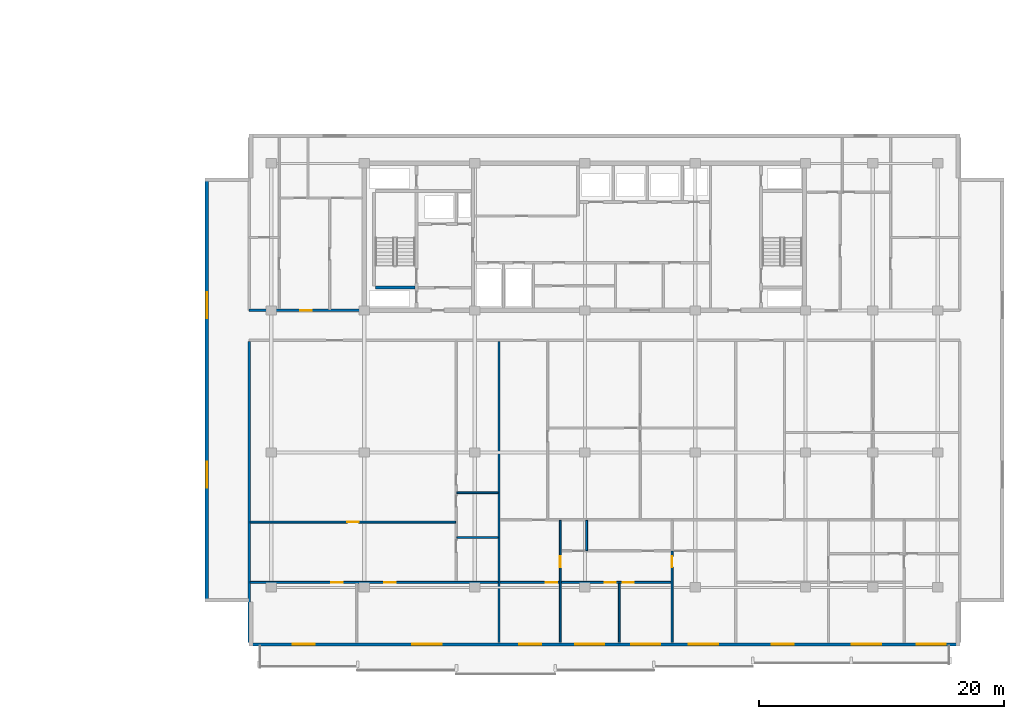
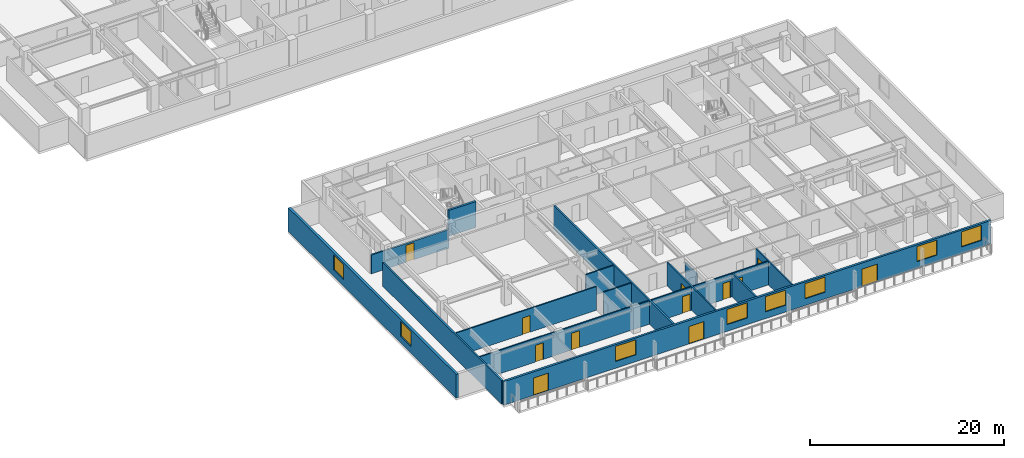
# One storey, part 4 of 21: 15 walls, 12 doors, 8 windows, 20 openings.
"""IFC4 building model written with IfcOpenShell, lengths in metres."""

from ifc_helpers import new_model, si_unit, direction, frame, frame_2d, origin, place, context, subcontext, project, spatial, rectangle, extrude, material, layer, layer_set, type_object, element, fill, save


model = new_model("IFC4")

# Units and contexts
model_context = context("Model", 3, precision=1e-05, world=origin(), true_north=direction((0.0, 1.0)))
body_context = subcontext(model_context, "Body", "Model", "MODEL_VIEW")
ifc_project = project(units=[si_unit("LENGTHUNIT", "METRE"), si_unit("AREAUNIT", "SQUARE_METRE"), si_unit("VOLUMEUNIT", "CUBIC_METRE"), si_unit("PLANEANGLEUNIT", "RADIAN"), si_unit("MASSUNIT", "GRAM", prefix="KILO")], contexts=[model_context])

# Site, building, storey
site_placement = place(None, origin())
site = spatial("IfcSite", under=ifc_project, at=site_placement, CompositionType="ELEMENT")
building_placement = place(site_placement, origin())
building = spatial("IfcBuilding", under=site, at=building_placement, Name="Korimba Cascade Residences", CompositionType="ELEMENT")
storey_placement = place(building_placement, frame((0.0, 0.0, 119.800048828125)))
storey = spatial("IfcBuildingStorey", under=building, at=storey_placement, Name="L34", CompositionType="ELEMENT", Elevation=119.800048828125)

# Wall, openings, doors, windows
ifc_material_1 = material(Name="Precast concrete C40/50", Category="concrete")
ifc_layer_1 = layer(ifc_material_1, 0.25)
ifc_layer_set_1 = layer_set([ifc_layer_1], Name="Precast concrete C40/50")
wall_type_1 = type_object("IfcWallType", Name="EW-LOG-250", PredefinedType="STANDARD", material=ifc_layer_set_1)
wall_1_placement = place(storey_placement, frame((72.699951171875, -8.85009765625, 0.0), z_axis=(0.0, 0.0, 1.0), x_axis=(1.0, 0.0, 0.0)))
wall_1 = element("IfcWall", 1, at=wall_1_placement, inside=storey, type_object=wall_type_1, Name="L34 T2 Perimeter Stone Wall E00", PredefinedType="STANDARD", context=body_context, shape_type="SweptSolid", body=[
    extrude(rectangle(XDim=58.0, YDim=0.25, at=frame_2d((29.0, 0.0))), origin(), (0.0, 0.0, 1.0), 2.969970703125),
])
opening_1_placement = place(wall_1_placement, frame((3.547607421875, 0.0, 0.0)))
opening_1 = element("IfcOpeningElement", 2, at=opening_1_placement, cuts=wall_1, Name="Opening D-LG1", PredefinedType="OPENING", context=body_context, shape_type="SweptSolid", body=[
    extrude(rectangle(XDim=1.800048828125, YDim=2.199951171875, at=frame_2d((0.89990234375, 1.10009765625))), frame((0.0, 0.135009765625, 0.0), z_axis=(0.0, -1.0, 0.0), x_axis=(1.0, 0.0, 0.0)), (0.0, 0.0, 1.0), 0.27001953125),
])
opening_2_placement = place(wall_1_placement, frame((13.3232421875, 0.0, 0.85009765625)))
opening_2 = element("IfcOpeningElement", 3, at=opening_2_placement, cuts=wall_1, Name="Opening W-01", PredefinedType="OPENING", context=body_context, shape_type="SweptSolid", body=[
    extrude(rectangle(XDim=2.39990234375, YDim=1.89990234375, at=frame_2d((1.199951171875, 0.949951171875))), frame((0.0, 0.135009765625, 0.0), z_axis=(0.0, -1.0, 0.0), x_axis=(1.0, 0.0, 0.0)), (0.0, 0.0, 1.0), 0.27001953125),
])
opening_3_placement = place(wall_1_placement, frame((26.59814453125, 0.0, 0.85009765625)))
opening_3 = element("IfcOpeningElement", 4, at=opening_3_placement, cuts=wall_1, Name="Opening W-01", PredefinedType="OPENING", context=body_context, shape_type="SweptSolid", body=[
    extrude(rectangle(XDim=2.39990234375, YDim=1.89990234375, at=frame_2d((1.199951171875, 0.949951171875))), frame((0.0, 0.135009765625, 0.0), z_axis=(0.0, -1.0, 0.0), x_axis=(1.0, 0.0, 0.0)), (0.0, 0.0, 1.0), 0.27001953125),
])
opening_4_placement = place(wall_1_placement, frame((31.16259765625, 0.0, 0.85009765625)))
opening_4 = element("IfcOpeningElement", 5, at=opening_4_placement, cuts=wall_1, Name="Opening W-01", PredefinedType="OPENING", context=body_context, shape_type="SweptSolid", body=[
    extrude(rectangle(XDim=2.39990234375, YDim=1.89990234375, at=frame_2d((1.199951171875, 0.949951171875))), frame((0.0, 0.135009765625, 0.0), z_axis=(0.0, -1.0, 0.0), x_axis=(1.0, 0.0, 0.0)), (0.0, 0.0, 1.0), 0.27001953125),
])
opening_5_placement = place(wall_1_placement, frame((22.05078125, 0.0, 0.0)))
opening_5 = element("IfcOpeningElement", 6, at=opening_5_placement, cuts=wall_1, Name="Opening D-LG1", PredefinedType="OPENING", context=body_context, shape_type="SweptSolid", body=[
    extrude(rectangle(XDim=1.800048828125, YDim=2.199951171875, at=frame_2d((0.89990234375, 1.10009765625))), frame((0.0, 0.135009765625, 0.0), z_axis=(0.0, -1.0, 0.0), x_axis=(1.0, 0.0, 0.0)), (0.0, 0.0, 1.0), 0.27001953125),
])
opening_6_placement = place(wall_1_placement, frame((35.861328125, 0.0, 0.85009765625)))
opening_6 = element("IfcOpeningElement", 7, at=opening_6_placement, cuts=wall_1, Name="Opening W-01", PredefinedType="OPENING", context=body_context, shape_type="SweptSolid", body=[
    extrude(rectangle(XDim=2.39990234375, YDim=1.89990234375, at=frame_2d((1.199951171875, 0.949951171875))), frame((0.0, 0.135009765625, 0.0), z_axis=(0.0, -1.0, 0.0), x_axis=(1.0, 0.0, 0.0)), (0.0, 0.0, 1.0), 0.27001953125),
])
opening_7_placement = place(wall_1_placement, frame((49.1650390625, 0.0, 0.85009765625)))
opening_7 = element("IfcOpeningElement", 8, at=opening_7_placement, cuts=wall_1, Name="Opening W-01", PredefinedType="OPENING", context=body_context, shape_type="SweptSolid", body=[
    extrude(rectangle(XDim=2.39990234375, YDim=1.89990234375, at=frame_2d((1.199951171875, 0.949951171875))), frame((0.0, 0.135009765625, 0.0), z_axis=(0.0, -1.0, 0.0), x_axis=(1.0, 0.0, 0.0)), (0.0, 0.0, 1.0), 0.27001953125),
])
opening_8_placement = place(wall_1_placement, frame((42.661376953125, 0.0, 0.0)))
opening_8 = element("IfcOpeningElement", 9, at=opening_8_placement, cuts=wall_1, Name="Opening D-LG1", PredefinedType="OPENING", context=body_context, shape_type="SweptSolid", body=[
    extrude(rectangle(XDim=1.800048828125, YDim=2.199951171875, at=frame_2d((0.89990234375, 1.10009765625))), frame((0.0, 0.135009765625, 0.0), z_axis=(0.0, -1.0, 0.0), x_axis=(1.0, 0.0, 0.0)), (0.0, 0.0, 1.0), 0.27001953125),
])
opening_9_placement = place(wall_1_placement, frame((54.465087890625, 0.0, 0.85009765625)))
opening_9 = element("IfcOpeningElement", 10, at=opening_9_placement, cuts=wall_1, Name="Opening W-01", PredefinedType="OPENING", context=body_context, shape_type="SweptSolid", body=[
    extrude(rectangle(XDim=2.39990234375, YDim=1.89990234375, at=frame_2d((1.199951171875, 0.949951171875))), frame((0.0, 0.135009765625, 0.0), z_axis=(0.0, -1.0, 0.0), x_axis=(1.0, 0.0, 0.0)), (0.0, 0.0, 1.0), 0.27001953125),
])
ifc_material_2 = material(Name="Glazed Aluminium Loggia Sliding Door", Category="aluminium")
door_type_1 = type_object("IfcDoorType", Name="DR-EXT-LOG", OperationType="NOTDEFINED", PredefinedType="DOOR", material=ifc_material_2)
door_1_placement = place(opening_1_placement, origin())
door_1 = element("IfcDoor", 11, at=door_1_placement, inside=storey, type_object=door_type_1, Name="L34 T2 Loggia Sliding Door 3", OperationType="SLIDING_TO_RIGHT", OverallHeight=2.199951171875, OverallWidth=1.800048828125, PredefinedType="DOOR", context=body_context, shape_type="SweptSolid", body=[
    extrude(rectangle(XDim=1.800048828125, YDim=2.199951171875, at=frame_2d((0.89990234375, 1.10009765625))), frame((0.0, 0.02490234375, 0.0), z_axis=(0.0, -1.0, 0.0), x_axis=(1.0, 0.0, 0.0)), (0.0, 0.0, 1.0), 0.050048828125),
])
fill(opening_1, door_1)
door_2_placement = place(opening_5_placement, origin())
door_2 = element("IfcDoor", 12, at=door_2_placement, inside=storey, type_object=door_type_1, Name="L34 T2 Loggia Sliding Door 7", OperationType="SLIDING_TO_RIGHT", OverallHeight=2.199951171875, OverallWidth=1.800048828125, PredefinedType="DOOR", context=body_context, shape_type="SweptSolid", body=[
    extrude(rectangle(XDim=1.800048828125, YDim=2.199951171875, at=frame_2d((0.89990234375, 1.10009765625))), frame((0.0, 0.02490234375, 0.0), z_axis=(0.0, -1.0, 0.0), x_axis=(1.0, 0.0, 0.0)), (0.0, 0.0, 1.0), 0.050048828125),
])
fill(opening_5, door_2)
door_3_placement = place(opening_8_placement, origin())
door_3 = element("IfcDoor", 13, at=door_3_placement, inside=storey, type_object=door_type_1, Name="L34 T2 Loggia Sliding Door 10", OperationType="SLIDING_TO_RIGHT", OverallHeight=2.199951171875, OverallWidth=1.800048828125, PredefinedType="DOOR", context=body_context, shape_type="SweptSolid", body=[
    extrude(rectangle(XDim=1.800048828125, YDim=2.199951171875, at=frame_2d((0.89990234375, 1.10009765625))), frame((0.0, 0.02490234375, 0.0), z_axis=(0.0, -1.0, 0.0), x_axis=(1.0, 0.0, 0.0)), (0.0, 0.0, 1.0), 0.050048828125),
])
fill(opening_8, door_3)
ifc_material_3 = material(Name="Double-Glazed Aluminium Window", Category="aluminium")
window_type_1 = type_object("IfcWindowType", Name="WIN-RES-2400", PartitioningType="DOUBLE_PANEL_VERTICAL", PredefinedType="WINDOW", material=ifc_material_3)
window_1_placement = place(opening_2_placement, origin())
window_1 = element("IfcWindow", 14, at=window_1_placement, inside=storey, type_object=window_type_1, Name="L34 T2 South Facade Window 4", OverallHeight=1.89990234375, OverallWidth=2.39990234375, PartitioningType="DOUBLE_PANEL_VERTICAL", PredefinedType="WINDOW", context=body_context, shape_type="SweptSolid", body=[
    extrude(rectangle(XDim=2.39990234375, YDim=1.89990234375, at=frame_2d((1.199951171875, 0.949951171875))), frame((0.0, 0.030029296875, 0.0), z_axis=(0.0, -1.0, 0.0), x_axis=(1.0, 0.0, 0.0)), (0.0, 0.0, 1.0), 0.06005859375),
])
fill(opening_2, window_1)
window_2_placement = place(opening_3_placement, origin())
window_2 = element("IfcWindow", 15, at=window_2_placement, inside=storey, type_object=window_type_1, Name="L34 T2 South Facade Window 5", OverallHeight=1.89990234375, OverallWidth=2.39990234375, PartitioningType="DOUBLE_PANEL_VERTICAL", PredefinedType="WINDOW", context=body_context, shape_type="SweptSolid", body=[
    extrude(rectangle(XDim=2.39990234375, YDim=1.89990234375, at=frame_2d((1.199951171875, 0.949951171875))), frame((0.0, 0.030029296875, 0.0), z_axis=(0.0, -1.0, 0.0), x_axis=(1.0, 0.0, 0.0)), (0.0, 0.0, 1.0), 0.06005859375),
])
fill(opening_3, window_2)
window_3_placement = place(opening_4_placement, origin())
window_3 = element("IfcWindow", 16, at=window_3_placement, inside=storey, type_object=window_type_1, Name="L34 T2 South Facade Window 6", OverallHeight=1.89990234375, OverallWidth=2.39990234375, PartitioningType="DOUBLE_PANEL_VERTICAL", PredefinedType="WINDOW", context=body_context, shape_type="SweptSolid", body=[
    extrude(rectangle(XDim=2.39990234375, YDim=1.89990234375, at=frame_2d((1.199951171875, 0.949951171875))), frame((0.0, 0.030029296875, 0.0), z_axis=(0.0, -1.0, 0.0), x_axis=(1.0, 0.0, 0.0)), (0.0, 0.0, 1.0), 0.06005859375),
])
fill(opening_4, window_3)
window_4_placement = place(opening_6_placement, origin())
window_4 = element("IfcWindow", 17, at=window_4_placement, inside=storey, type_object=window_type_1, Name="L34 T2 South Facade Window 8", OverallHeight=1.89990234375, OverallWidth=2.39990234375, PartitioningType="DOUBLE_PANEL_VERTICAL", PredefinedType="WINDOW", context=body_context, shape_type="SweptSolid", body=[
    extrude(rectangle(XDim=2.39990234375, YDim=1.89990234375, at=frame_2d((1.199951171875, 0.949951171875))), frame((0.0, 0.030029296875, 0.0), z_axis=(0.0, -1.0, 0.0), x_axis=(1.0, 0.0, 0.0)), (0.0, 0.0, 1.0), 0.06005859375),
])
fill(opening_6, window_4)
window_5_placement = place(opening_7_placement, origin())
window_5 = element("IfcWindow", 18, at=window_5_placement, inside=storey, type_object=window_type_1, Name="L34 T2 South Facade Window 9", OverallHeight=1.89990234375, OverallWidth=2.39990234375, PartitioningType="DOUBLE_PANEL_VERTICAL", PredefinedType="WINDOW", context=body_context, shape_type="SweptSolid", body=[
    extrude(rectangle(XDim=2.39990234375, YDim=1.89990234375, at=frame_2d((1.199951171875, 0.949951171875))), frame((0.0, 0.030029296875, 0.0), z_axis=(0.0, -1.0, 0.0), x_axis=(1.0, 0.0, 0.0)), (0.0, 0.0, 1.0), 0.06005859375),
])
fill(opening_7, window_5)
window_6_placement = place(opening_9_placement, origin())
window_6 = element("IfcWindow", 19, at=window_6_placement, inside=storey, type_object=window_type_1, Name="L34 T2 South Facade Window 11", OverallHeight=1.89990234375, OverallWidth=2.39990234375, PartitioningType="DOUBLE_PANEL_VERTICAL", PredefinedType="WINDOW", context=body_context, shape_type="SweptSolid", body=[
    extrude(rectangle(XDim=2.39990234375, YDim=1.89990234375, at=frame_2d((1.199951171875, 0.949951171875))), frame((0.0, 0.030029296875, 0.0), z_axis=(0.0, -1.0, 0.0), x_axis=(1.0, 0.0, 0.0)), (0.0, 0.0, 1.0), 0.06005859375),
])
fill(opening_9, window_6)

# Wall, openings, windows
ifc_layer_2 = layer(ifc_material_1, 0.300048828125)
ifc_layer_set_2 = layer_set([ifc_layer_2], Name="Precast concrete C40/50")
wall_type_2 = type_object("IfcWallType", Name="EW-STONE-300", PredefinedType="STANDARD", material=ifc_layer_set_2)
wall_2_placement = place(storey_placement, frame((69.25, 29.199951171875, 0.0), z_axis=(0.0, 0.0, 1.0), x_axis=(0.0, -1.0, 0.0)))
wall_2 = element("IfcWall", 20, at=wall_2_placement, inside=storey, type_object=wall_type_2, Name="L34 T2 Perimeter Stone Wall E09", PredefinedType="STANDARD", context=body_context, shape_type="SweptSolid", body=[
    extrude(rectangle(XDim=34.599853515625, YDim=0.300048828125, at=frame_2d((17.2998046875, 0.0))), origin(), (0.0, 0.0, 1.0), 2.969970703125),
])
opening_10_placement = place(wall_2_placement, frame((9.330078125, 0.0, 0.85009765625)))
opening_10 = element("IfcOpeningElement", 21, at=opening_10_placement, cuts=wall_2, Name="Opening W-03", PredefinedType="OPENING", context=body_context, shape_type="SweptSolid", body=[
    extrude(rectangle(XDim=2.10009765625, YDim=1.85009765625, at=frame_2d((1.050048828125, 0.925048828125))), frame((0.0, 0.16015625, 0.0), z_axis=(0.0, -1.0, 0.0), x_axis=(1.0, 0.0, 0.0)), (0.0, 0.0, 1.0), 0.320068359375),
])
opening_11_placement = place(wall_2_placement, frame((23.169921875, 0.0, 0.85009765625)))
opening_11 = element("IfcOpeningElement", 22, at=opening_11_placement, cuts=wall_2, Name="Opening W-03", PredefinedType="OPENING", context=body_context, shape_type="SweptSolid", body=[
    extrude(rectangle(XDim=2.10009765625, YDim=1.85009765625, at=frame_2d((1.050048828125, 0.925048828125))), frame((0.0, 0.16015625, 0.0), z_axis=(0.0, -1.0, 0.0), x_axis=(1.0, 0.0, 0.0)), (0.0, 0.0, 1.0), 0.320068359375),
])
window_type_2 = type_object("IfcWindowType", Name="WIN-CRN-2100", PartitioningType="DOUBLE_PANEL_HORIZONTAL", PredefinedType="WINDOW", material=ifc_material_3)
window_7_placement = place(opening_10_placement, origin())
window_7 = element("IfcWindow", 23, at=window_7_placement, inside=storey, type_object=window_type_2, Name="L34 T2 End View Window 9.1", OverallHeight=1.85009765625, OverallWidth=2.10009765625, PartitioningType="DOUBLE_PANEL_HORIZONTAL", PredefinedType="WINDOW", context=body_context, shape_type="SweptSolid", body=[
    extrude(rectangle(XDim=2.10009765625, YDim=1.85009765625, at=frame_2d((1.050048828125, 0.925048828125))), frame((0.0, 0.030029296875, 0.0), z_axis=(0.0, -1.0, 0.0), x_axis=(1.0, 0.0, 0.0)), (0.0, 0.0, 1.0), 0.06005859375),
])
fill(opening_10, window_7)
window_8_placement = place(opening_11_placement, origin())
window_8 = element("IfcWindow", 24, at=window_8_placement, inside=storey, type_object=window_type_2, Name="L34 T2 End View Window 9.2", OverallHeight=1.85009765625, OverallWidth=2.10009765625, PartitioningType="DOUBLE_PANEL_HORIZONTAL", PredefinedType="WINDOW", context=body_context, shape_type="SweptSolid", body=[
    extrude(rectangle(XDim=2.10009765625, YDim=1.85009765625, at=frame_2d((1.050048828125, 0.925048828125))), frame((0.0, 0.030029296875, 0.0), z_axis=(0.0, -1.0, 0.0), x_axis=(1.0, 0.0, 0.0)), (0.0, 0.0, 1.0), 0.06005859375),
])
fill(opening_11, window_8)

# Wall, opening, door
ifc_layer_3 = layer(ifc_material_1, 0.199951171875)
ifc_layer_set_3 = layer_set([ifc_layer_3], Name="Precast concrete C40/50")
wall_type_3 = type_object("IfcWallType", Name="WAL-IT-200", PredefinedType="PARTITIONING", material=ifc_layer_set_3)
wall_3_placement = place(storey_placement, frame((72.699951171875, 18.39990234375, 0.0), z_axis=(0.0, 0.0, 1.0), x_axis=(1.0, 0.0, 0.0)))
wall_3 = element("IfcWall", 25, at=wall_3_placement, inside=storey, type_object=wall_type_3, Name="L34 Partition Wall WAL-L34-T2-FW-S", PredefinedType="PARTITIONING", context=body_context, shape_type="SweptSolid", body=[
    extrude(rectangle(XDim=9.25, YDim=0.199951171875, at=frame_2d((4.625, 0.0))), origin(), (0.0, 0.0, 1.0), 2.357666015625),
])
opening_12_placement = place(wall_3_placement, frame((4.14990234375, 0.0, 0.0)))
opening_12 = element("IfcOpeningElement", 26, at=opening_12_placement, cuts=wall_3, Name="Opening D-UN1", PredefinedType="OPENING", context=body_context, shape_type="SweptSolid", body=[
    extrude(rectangle(XDim=0.949951171875, YDim=2.14990234375, at=frame_2d((0.47509765625, 1.074951171875))), frame((0.0, 0.10986328125, 0.0), z_axis=(0.0, -1.0, 0.0), x_axis=(1.0, 0.0, 0.0)), (0.0, 0.0, 1.0), 0.219970703125),
])
ifc_material_4 = material(Name="Fire-Rated Hardwood Apartment Entrance Door", Category="wood")
door_type_2 = type_object("IfcDoorType", Name="DR-FD60-950", OperationType="NOTDEFINED", PredefinedType="DOOR", material=ifc_material_4)
door_4_placement = place(opening_12_placement, origin())
door_4 = element("IfcDoor", 27, at=door_4_placement, inside=storey, type_object=door_type_2, Name="L34-T2-FW Entrance Door", OperationType="SINGLE_SWING_LEFT", OverallHeight=2.14990234375, OverallWidth=0.949951171875, PredefinedType="DOOR", context=body_context, shape_type="SweptSolid", body=[
    extrude(rectangle(XDim=0.949951171875, YDim=2.14990234375, at=frame_2d((0.47509765625, 1.074951171875))), frame((0.0, 0.02490234375, 0.0), z_axis=(0.0, -1.0, 0.0), x_axis=(1.0, 0.0, 0.0)), (0.0, 0.0, 1.0), 0.050048828125),
])
fill(opening_12, door_4)

# Walls
for number, where, z_axis, x_axis, name in (
    (28, (72.699951171875, -8.699951171875, 0.0), (0.0, 0.0, 1.0), (0.0, 1.0, 0.0), "L34 Partition Wall WAL-L34-T2-BNDWL"),
    (29, (93.0908203125, -8.699951171875, 0.0), (0.0, 0.0, 1.0), (0.0, 1.0, 0.0), "L34 Partition Wall WAL-L34-T2-DEM-1"),
):
    element("IfcWall", number, at=place(storey_placement, frame(where, z_axis=z_axis, x_axis=x_axis)), inside=storey, type_object=wall_type_3, Name=name, PredefinedType="PARTITIONING", context=body_context, shape_type="SweptSolid", body=[
        extrude(rectangle(XDim=24.570068359375, YDim=0.199951171875, at=frame_2d((12.28515625, 0.0))), origin(), (0.0, 0.0, 1.0), 2.969970703125),
    ])

# Wall, opening, door
ifc_material_5 = material(Name="Insulated Acoustic Stud Partition", Category="gypsum")
ifc_layer_4 = layer(ifc_material_5, 0.14990234375)
ifc_layer_set_4 = layer_set([ifc_layer_4], Name="Insulated Acoustic Stud Partition")
wall_type_4 = type_object("IfcWallType", Name="WAL-PART-150", PredefinedType="PARTITIONING", material=ifc_layer_set_4)
wall_4_placement = place(storey_placement, frame((72.780029296875, 1.1201171875, 0.0), z_axis=(0.0, 0.0, 1.0), x_axis=(1.0, 0.0, 0.0)))
wall_4 = element("IfcWall", 30, at=wall_4_placement, inside=storey, type_object=wall_type_4, Name="L34 Partition Wall WAL-L34-T2-U01-CARH", PredefinedType="PARTITIONING", context=body_context, shape_type="SweptSolid", body=[
    extrude(rectangle(XDim=16.770751953125, YDim=0.14990234375, at=frame_2d((8.38525390625, 0.0))), origin(), (0.0, 0.0, 1.0), 2.969970703125),
])
opening_13_placement = place(wall_4_placement, frame((7.915283203125, 0.0, 0.0)))
opening_13 = element("IfcOpeningElement", 31, at=opening_13_placement, cuts=wall_4, Name="Opening D-IN0", PredefinedType="OPENING", context=body_context, shape_type="SweptSolid", body=[
    extrude(rectangle(XDim=0.93994140625, YDim=2.10009765625, at=frame_2d((0.469970703125, 1.050048828125))), frame((0.0, 0.0849609375, 0.0), z_axis=(0.0, -1.0, 0.0), x_axis=(1.0, 0.0, 0.0)), (0.0, 0.0, 1.0), 0.169921875),
])
ifc_material_6 = material(Name="Acoustic Timber Living Archway Door", Category="wood")
door_type_3 = type_object("IfcDoorType", Name="DR-INT-950", OperationType="NOTDEFINED", PredefinedType="DOOR", material=ifc_material_6)
door_5_placement = place(opening_13_placement, origin())
door_5 = element("IfcDoor", 32, at=door_5_placement, inside=storey, type_object=door_type_3, Name="L34-T2-U01 Wellness Clinic Foyer Door", OperationType="SINGLE_SWING_RIGHT", OverallHeight=2.10009765625, OverallWidth=0.93994140625, PredefinedType="DOOR", context=body_context, shape_type="SweptSolid", body=[
    extrude(rectangle(XDim=0.93994140625, YDim=2.10009765625, at=frame_2d((0.469970703125, 1.050048828125))), frame((0.0, 0.02490234375, 0.0), z_axis=(0.0, -1.0, 0.0), x_axis=(1.0, 0.0, 0.0)), (0.0, 0.0, 1.0), 0.050048828125),
])
fill(opening_13, door_5)

# Walls
for number, where, z_axis, x_axis, name in (
    (33, (89.65087890625, -0.1298828125, 0.0), (0.0, 0.0, 1.0), (1.0, 0.0, 0.0), "L34 Partition Wall WAL-L34-T2-U01-WCH"),
    (34, (89.65087890625, 3.52001953125, 0.0), (0.0, 0.0, 1.0), (1.0, 0.0, 0.0), "L34 Partition Wall WAL-L34-T2-U01-WCH2"),
):
    element("IfcWall", number, at=place(storey_placement, frame(where, z_axis=z_axis, x_axis=x_axis)), inside=storey, type_object=wall_type_4, Name=name, PredefinedType="PARTITIONING", context=body_context, shape_type="SweptSolid", body=[
        extrude(rectangle(XDim=3.360107421875, YDim=0.14990234375, at=frame_2d((1.68017578125, 0.0))), origin(), (0.0, 0.0, 1.0), 2.969970703125),
    ])

# Wall, openings, doors
wall_5_placement = place(storey_placement, frame((72.780029296875, -3.800048828125, 0.0), z_axis=(0.0, 0.0, 1.0), x_axis=(1.0, 0.0, 0.0)))
wall_5 = element("IfcWall", 35, at=wall_5_placement, inside=storey, type_object=wall_type_4, Name="L34 Partition Wall WAL-L34-T2-U01-HZ", PredefinedType="PARTITIONING", context=body_context, shape_type="SweptSolid", body=[
    extrude(rectangle(XDim=20.23095703125, YDim=0.14990234375, at=frame_2d((10.115478515625, 0.0))), origin(), (0.0, 0.0, 1.0), 2.969970703125),
])
opening_14_placement = place(wall_5_placement, frame((6.634765625, 0.0, 0.0)))
opening_14 = element("IfcOpeningElement", 36, at=opening_14_placement, cuts=wall_5, Name="Opening D-IN0", PredefinedType="OPENING", context=body_context, shape_type="SweptSolid", body=[
    extrude(rectangle(XDim=0.93994140625, YDim=2.10009765625, at=frame_2d((0.469970703125, 1.050048828125))), frame((0.0, 0.0849609375, 0.0), z_axis=(0.0, -1.0, 0.0), x_axis=(1.0, 0.0, 0.0)), (0.0, 0.0, 1.0), 0.169921875),
])
opening_15_placement = place(wall_5_placement, frame((10.947998046875, 0.0, 0.0)))
opening_15 = element("IfcOpeningElement", 37, at=opening_15_placement, cuts=wall_5, Name="Opening D-IN0", PredefinedType="OPENING", context=body_context, shape_type="SweptSolid", body=[
    extrude(rectangle(XDim=0.93994140625, YDim=2.10009765625, at=frame_2d((0.469970703125, 1.050048828125))), frame((0.0, 0.0849609375, 0.0), z_axis=(0.0, -1.0, 0.0), x_axis=(1.0, 0.0, 0.0)), (0.0, 0.0, 1.0), 0.169921875),
])
door_6_placement = place(opening_14_placement, origin())
door_6 = element("IfcDoor", 38, at=door_6_placement, inside=storey, type_object=door_type_3, Name="L34-T2-U01 Hydrotherapy Wellness Clinic Door", OperationType="SINGLE_SWING_RIGHT", OverallHeight=2.10009765625, OverallWidth=0.93994140625, PredefinedType="DOOR", context=body_context, shape_type="SweptSolid", body=[
    extrude(rectangle(XDim=0.93994140625, YDim=2.10009765625, at=frame_2d((0.469970703125, 1.050048828125))), frame((0.0, 0.02490234375, 0.0), z_axis=(0.0, -1.0, 0.0), x_axis=(1.0, 0.0, 0.0)), (0.0, 0.0, 1.0), 0.050048828125),
])
fill(opening_14, door_6)
door_7_placement = place(opening_15_placement, origin())
door_7 = element("IfcDoor", 39, at=door_7_placement, inside=storey, type_object=door_type_3, Name="L34-T2-U01 Physiotherapy Treatment Room Door", OperationType="SINGLE_SWING_LEFT", OverallHeight=2.10009765625, OverallWidth=0.93994140625, PredefinedType="DOOR", context=body_context, shape_type="SweptSolid", body=[
    extrude(rectangle(XDim=0.93994140625, YDim=2.10009765625, at=frame_2d((0.469970703125, 1.050048828125))), frame((0.0, 0.02490234375, 0.0), z_axis=(0.0, -1.0, 0.0), x_axis=(1.0, 0.0, 0.0)), (0.0, 0.0, 1.0), 0.050048828125),
])
fill(opening_15, door_7)

# Walls
wall_6_placement = place(storey_placement, frame((100.240966796875, -1.2099609375, 0.0), z_axis=(0.0, 0.0, 1.0), x_axis=(0.0, 1.0, 0.0)))
element("IfcWall", 40, at=wall_6_placement, inside=storey, type_object=wall_type_4, Name="L34 Partition Wall WAL-L34-T2-U02-VDRS", PredefinedType="PARTITIONING", context=body_context, shape_type="SweptSolid", body=[
    extrude(rectangle(XDim=2.469970703125, YDim=0.14990234375, at=frame_2d((1.23486328125, 0.0))), origin(), (0.0, 0.0, 1.0), 2.2001953125),
])
wall_7_placement = place(storey_placement, frame((102.905517578125, -8.699951171875, 0.0), z_axis=(0.0, 0.0, 1.0), x_axis=(0.0, 1.0, 0.0)))
element("IfcWall", 41, at=wall_7_placement, inside=storey, type_object=wall_type_4, Name="L34 Partition Wall WAL-L34-T2-U02-VSTD", PredefinedType="PARTITIONING", context=body_context, shape_type="SweptSolid", body=[
    extrude(rectangle(XDim=4.820068359375, YDim=0.14990234375, at=frame_2d((2.41015625, 0.0))), origin(), (0.0, 0.0, 1.0), 2.969970703125),
])

# Wall, opening, door
wall_8_placement = place(storey_placement, frame((98.0908203125, -8.699951171875, 0.0), z_axis=(0.0, 0.0, 1.0), x_axis=(0.0, 1.0, 0.0)))
wall_8 = element("IfcWall", 42, at=wall_8_placement, inside=storey, type_object=wall_type_4, Name="L34 Partition Wall WAL-L34-T2-U02-V1", PredefinedType="PARTITIONING", context=body_context, shape_type="SweptSolid", body=[
    extrude(rectangle(XDim=9.9599609375, YDim=0.14990234375, at=frame_2d((4.97998046875, 0.0))), origin(), (0.0, 0.0, 1.0), 2.969970703125),
])
opening_16_placement = place(wall_8_placement, frame((6.123046875, 0.0, 0.0)))
opening_16 = element("IfcOpeningElement", 43, at=opening_16_placement, cuts=wall_8, Name="Opening D-IN1", PredefinedType="OPENING", context=body_context, shape_type="SweptSolid", body=[
    extrude(rectangle(XDim=0.919921875, YDim=2.080078125, at=frame_2d((0.4599609375, 1.0400390625))), frame((0.0, 0.0849609375, 0.0), z_axis=(0.0, -1.0, 0.0), x_axis=(1.0, 0.0, 0.0)), (0.0, 0.0, 1.0), 0.169921875),
])
ifc_material_7 = material(Name="Acoustic Timber Living Door", Category="wood")
door_type_4 = type_object("IfcDoorType", Name="DR-INT-920", OperationType="NOTDEFINED", PredefinedType="DOOR", material=ifc_material_7)
door_8_placement = place(opening_16_placement, origin())
door_8 = element("IfcDoor", 44, at=door_8_placement, inside=storey, type_object=door_type_4, Name="L34-T2-U02 Hallway Door", OperationType="SINGLE_SWING_RIGHT", OverallHeight=2.080078125, OverallWidth=0.919921875, PredefinedType="DOOR", context=body_context, shape_type="SweptSolid", body=[
    extrude(rectangle(XDim=0.919921875, YDim=2.080078125, at=frame_2d((0.4599609375, 1.0400390625))), frame((0.0, 0.02490234375, 0.0), z_axis=(0.0, -1.0, 0.0), x_axis=(1.0, 0.0, 0.0)), (0.0, 0.0, 1.0), 0.050048828125),
])
fill(opening_16, door_8)

wall_9_placement = place(storey_placement, frame((107.219970703125, -8.699951171875, 0.0), z_axis=(0.0, 0.0, 1.0), x_axis=(0.0, 1.0, 0.0)))
wall_9 = element("IfcWall", 45, at=wall_9_placement, inside=storey, type_object=wall_type_4, Name="L34 Partition Wall WAL-L34-T2-U02-V2FULL", PredefinedType="PARTITIONING", context=body_context, shape_type="SweptSolid", body=[
    extrude(rectangle(XDim=7.449951171875, YDim=0.14990234375, at=frame_2d((3.72509765625, 0.0))), origin(), (0.0, 0.0, 1.0), 2.969970703125),
])
opening_17_placement = place(wall_9_placement, frame((6.123046875, 0.0, 0.0)))
opening_17 = element("IfcOpeningElement", 46, at=opening_17_placement, cuts=wall_9, Name="Opening D-IN1", PredefinedType="OPENING", context=body_context, shape_type="SweptSolid", body=[
    extrude(rectangle(XDim=0.919921875, YDim=2.080078125, at=frame_2d((0.4599609375, 1.0400390625))), frame((0.0, 0.0849609375, 0.0), z_axis=(0.0, -1.0, 0.0), x_axis=(1.0, 0.0, 0.0)), (0.0, 0.0, 1.0), 0.169921875),
])
door_9_placement = place(opening_17_placement, origin())
door_9 = element("IfcDoor", 47, at=door_9_placement, inside=storey, type_object=door_type_4, Name="L34-T2-U02 Master Bedroom Door", OperationType="SINGLE_SWING_LEFT", OverallHeight=2.080078125, OverallWidth=0.919921875, PredefinedType="DOOR", context=body_context, shape_type="SweptSolid", body=[
    extrude(rectangle(XDim=0.919921875, YDim=2.080078125, at=frame_2d((0.4599609375, 1.0400390625))), frame((0.0, 0.02490234375, 0.0), z_axis=(0.0, -1.0, 0.0), x_axis=(1.0, 0.0, 0.0)), (0.0, 0.0, 1.0), 0.050048828125),
])
fill(opening_17, door_9)

# Wall, openings, doors
wall_10_placement = place(storey_placement, frame((93.1708984375, -3.800048828125, 0.0), z_axis=(0.0, 0.0, 1.0), x_axis=(1.0, 0.0, 0.0)))
wall_10 = element("IfcWall", 48, at=wall_10_placement, inside=storey, type_object=wall_type_4, Name="L34 Partition Wall WAL-L34-T2-U02-HZ", PredefinedType="PARTITIONING", context=body_context, shape_type="SweptSolid", body=[
    extrude(rectangle(XDim=14.049072265625, YDim=0.14990234375, at=frame_2d((7.0244140625, 0.0))), origin(), (0.0, 0.0, 1.0), 2.969970703125),
])
opening_18_placement = place(wall_10_placement, frame((3.72998046875, 0.0, 0.0)))
opening_18 = element("IfcOpeningElement", 49, at=opening_18_placement, cuts=wall_10, Name="Opening D-IN0", PredefinedType="OPENING", context=body_context, shape_type="SweptSolid", body=[
    extrude(rectangle(XDim=0.93994140625, YDim=2.10009765625, at=frame_2d((0.469970703125, 1.050048828125))), frame((0.0, 0.0849609375, 0.0), z_axis=(0.0, -1.0, 0.0), x_axis=(1.0, 0.0, 0.0)), (0.0, 0.0, 1.0), 0.169921875),
])
opening_19_placement = place(wall_10_placement, frame((8.564697265625, 0.0, 0.0)))
opening_19 = element("IfcOpeningElement", 50, at=opening_19_placement, cuts=wall_10, Name="Opening D-IN2", PredefinedType="OPENING", context=body_context, shape_type="SweptSolid", body=[
    extrude(rectangle(XDim=0.8798828125, YDim=2.06005859375, at=frame_2d((0.43994140625, 1.030029296875))), frame((0.0, 0.0849609375, 0.0), z_axis=(0.0, -1.0, 0.0), x_axis=(1.0, 0.0, 0.0)), (0.0, 0.0, 1.0), 0.169921875),
])
opening_20_placement = place(wall_10_placement, frame((10.014404296875, 0.0, 0.0)))
opening_20 = element("IfcOpeningElement", 51, at=opening_20_placement, cuts=wall_10, Name="Opening D-IN2", PredefinedType="OPENING", context=body_context, shape_type="SweptSolid", body=[
    extrude(rectangle(XDim=0.8798828125, YDim=2.06005859375, at=frame_2d((0.43994140625, 1.030029296875))), frame((0.0, 0.0849609375, 0.0), z_axis=(0.0, -1.0, 0.0), x_axis=(1.0, 0.0, 0.0)), (0.0, 0.0, 1.0), 0.169921875),
])
ifc_material_8 = material(Name="Acoustic Timber Bedroom Door", Category="wood")
door_type_5 = type_object("IfcDoorType", Name="DR-INT-880", OperationType="NOTDEFINED", PredefinedType="DOOR", material=ifc_material_8)
door_10_placement = place(opening_19_placement, origin())
door_10 = element("IfcDoor", 52, at=door_10_placement, inside=storey, type_object=door_type_5, Name="L34-T2-U02 Bedroom 2 Door", OperationType="SINGLE_SWING_LEFT", OverallHeight=2.06005859375, OverallWidth=0.8798828125, PredefinedType="DOOR", context=body_context, shape_type="SweptSolid", body=[
    extrude(rectangle(XDim=0.8798828125, YDim=2.06005859375, at=frame_2d((0.43994140625, 1.030029296875))), frame((0.0, 0.02490234375, 0.0), z_axis=(0.0, -1.0, 0.0), x_axis=(1.0, 0.0, 0.0)), (0.0, 0.0, 1.0), 0.050048828125),
])
fill(opening_19, door_10)
door_11_placement = place(opening_20_placement, origin())
door_11 = element("IfcDoor", 53, at=door_11_placement, inside=storey, type_object=door_type_5, Name="L34-T2-U02 Study Door", OperationType="SINGLE_SWING_RIGHT", OverallHeight=2.06005859375, OverallWidth=0.8798828125, PredefinedType="DOOR", context=body_context, shape_type="SweptSolid", body=[
    extrude(rectangle(XDim=0.8798828125, YDim=2.06005859375, at=frame_2d((0.43994140625, 1.030029296875))), frame((0.0, 0.02490234375, 0.0), z_axis=(0.0, -1.0, 0.0), x_axis=(1.0, 0.0, 0.0)), (0.0, 0.0, 1.0), 0.050048828125),
])
fill(opening_20, door_11)
door_12_placement = place(opening_18_placement, origin())
door_12 = element("IfcDoor", 54, at=door_12_placement, inside=storey, type_object=door_type_3, Name="L34-T2-U02 Living Room Door", OperationType="SINGLE_SWING_RIGHT", OverallHeight=2.10009765625, OverallWidth=0.93994140625, PredefinedType="DOOR", context=body_context, shape_type="SweptSolid", body=[
    extrude(rectangle(XDim=0.93994140625, YDim=2.10009765625, at=frame_2d((0.469970703125, 1.050048828125))), frame((0.0, 0.02490234375, 0.0), z_axis=(0.0, -1.0, 0.0), x_axis=(1.0, 0.0, 0.0)), (0.0, 0.0, 1.0), 0.050048828125),
])
fill(opening_18, door_12)

# Wall
ifc_material_9 = material(Name="Concrete C50/60", Category="concrete")
ifc_layer_5 = layer(ifc_material_9, 0.25)
ifc_layer_set_5 = layer_set([ifc_layer_5], Name="Concrete C50/60")
wall_type_5 = type_object("IfcWallType", Name="WAL-SHAFT-250", PredefinedType="SHEAR", material=ifc_layer_set_5)
wall_11_placement = place(storey_placement, frame((83.0, 20.27490234375, 0.0), z_axis=(0.0, 0.0, 1.0), x_axis=(1.0, 0.0, 0.0)))
element("IfcWall", 55, at=wall_11_placement, inside=storey, type_object=wall_type_5, Name="L34 Core Shear Wall CW-L34-T2-STE1S", PredefinedType="SHEAR", context=body_context, shape_type="SweptSolid", body=[
    extrude(rectangle(XDim=3.239990234375, YDim=0.25, at=frame_2d((1.6201171875, 0.0))), origin(), (0.0, 0.0, 1.0), 3.25),
])

save(model, "model.ifc")
